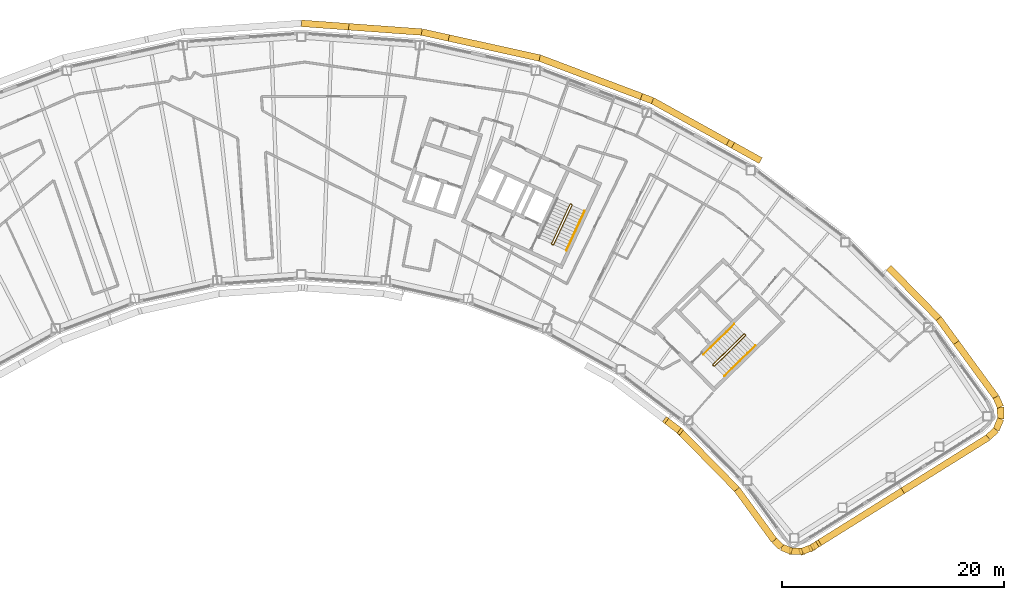
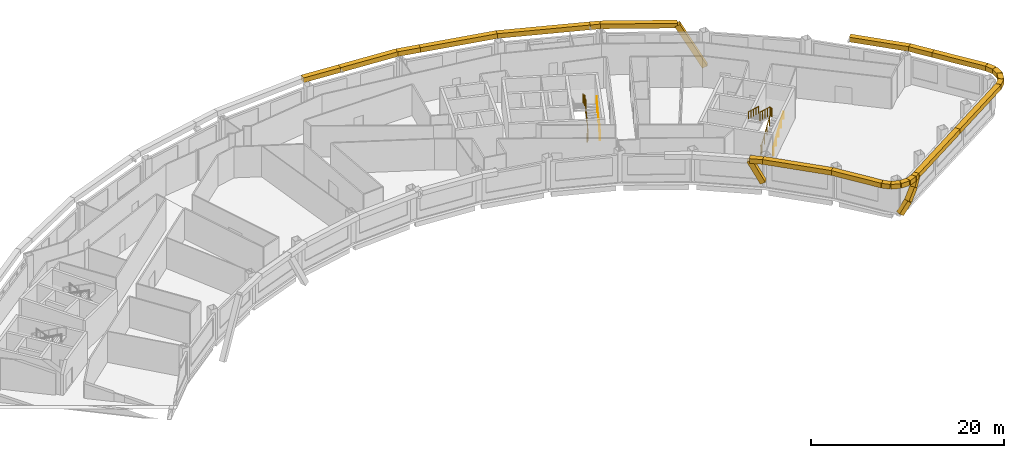
# One storey, part 15 of 16: 29 coverings, 5 railings.
"""IFC4 building model written with IfcOpenShell, lengths in metres."""

from ifc_helpers import new_model, si_unit, direction, frame, origin, origin_2d, place, context, subcontext, project, spatial, rectangle, circle, extrude, material, material_profile, profile_set, type_object, element, save


model = new_model("IFC4")

# Units and contexts
model_context = context("Model", 3, precision=1e-05, world=origin(), true_north=direction((0.0, 1.0)))
body_context = subcontext(model_context, "Body", "Model", "MODEL_VIEW")
ifc_project = project(units=[si_unit("LENGTHUNIT", "METRE"), si_unit("AREAUNIT", "SQUARE_METRE"), si_unit("VOLUMEUNIT", "CUBIC_METRE"), si_unit("PLANEANGLEUNIT", "RADIAN"), si_unit("MASSUNIT", "GRAM", prefix="KILO")], contexts=[model_context])

# Site, building, storey
site_placement = place(None, origin())
site = spatial("IfcSite", under=ifc_project, at=site_placement, CompositionType="ELEMENT")
building_placement = place(site_placement, origin())
building = spatial("IfcBuilding", under=site, at=building_placement, Name="Tuul Gate Civic Tower", CompositionType="ELEMENT")
storey_placement = place(building_placement, frame((0.0, 0.0, 261.0)))
storey = spatial("IfcBuildingStorey", under=building, at=storey_placement, Name="Level 59", CompositionType="ELEMENT", Elevation=261.0)

# Railings
ifc_material_1 = material(Name="Painted steel", Category="steel")
railing_type_1 = type_object("IfcRailingType", Name="Stair guard", PredefinedType="GUARDRAIL", material=ifc_material_1)
railing_1_placement = place(storey_placement, frame((48.10546875, -16.134765625, 0.0)))
element("IfcRailing", 1, at=railing_1_placement, inside=storey, type_object=railing_type_1, Name="Level 59 ST-3 stair guard 1", PredefinedType="GUARDRAIL", context=body_context, shape_type="SweptSolid", body=[
    extrude(circle(Radius=0.02392578125, at=origin_2d()), frame((0.0, 0.0, 1.076171875), z_axis=(-0.698506948293, 0.715603272202, 0.0), x_axis=(-0.715603272202, -0.698506948293, 0.0)), (0.0, 0.0, 1.0), 0.099853515625),
    extrude(circle(Radius=0.02392578125, at=origin_2d()), frame((-0.06982421875, 0.071533203125, 1.076171875), z_axis=(0.645446321009, -0.331687692741, 0.688027849131), x_axis=(0.457068866502, 0.889431307788, 0.0)), (0.0, 0.0, 1.0), 0.2177734375),
    extrude(circle(Radius=0.02392578125, at=origin_2d()), frame((0.07080078125, -0.000732421875, 1.22607421875), z_axis=(0.638715268259, 0.626117886127, 0.447235059857), x_axis=(-0.700029477518, 0.714113947914, 0.0)), (0.0, 0.0, 1.0), 4.360595703125),
    extrude(circle(Radius=0.02392578125, at=origin_2d()), frame((2.85595703125, 2.7294921875, 3.17626953125), z_axis=(0.010380063588, 0.999946125689, 0.0), x_axis=(-0.999946125689, 0.010380063588, 0.0)), (0.0, 0.0, 1.0), 0.070556640625),
    extrude(circle(Radius=0.02392578125, at=origin_2d()), frame((2.856689453125, 2.800048828125, 3.17626953125), z_axis=(-0.699754442181, 0.714383454909, 0.0), x_axis=(-0.714383454909, -0.699754442181, 0.0)), (0.0, 0.0, 1.0), 0.10009765625),
    extrude(circle(Radius=0.02392578125, at=origin_2d()), frame((2.78662109375, 2.87158203125, 3.17626953125), z_axis=(-0.427069033481, 0.004417955519, 0.904208229508), x_axis=(-0.010344274102, -0.999946496565, 0.0)), (0.0, 0.0, 1.0), 0.165771484375),
    extrude(circle(Radius=0.02392578125, at=origin_2d()), frame((2.7158203125, 2.872314453125, 3.326171875), z_axis=(-0.638731261263, -0.626133563701, 0.447190268558), x_axis=(0.700029477518, -0.714113947914, 0.0)), (0.0, 0.0, 1.0), 4.3603515625),
    extrude(circle(Radius=0.02099609375, at=origin_2d()), origin(), (0.0, 0.0, 1.0), 1.052001953125),
    extrude(circle(Radius=0.02099609375, at=origin_2d()), frame((-0.06982421875, 0.071533203125, 0.0)), (0.0, 0.0, 1.0), 1.052001953125),
    extrude(circle(Radius=0.02099609375, at=origin_2d()), frame((0.07080078125, -0.000732421875, 0.14990234375)), (0.0, 0.0, 1.0), 1.052001953125),
    extrude(circle(Radius=0.02099609375, at=origin_2d()), frame((0.76708984375, 0.681884765625, 0.637451171875)), (0.0, 0.0, 1.0), 1.052001953125),
    extrude(circle(Radius=0.02099609375, at=origin_2d()), frame((1.46337890625, 1.3642578125, 1.125)), (0.0, 0.0, 1.0), 1.052001953125),
    extrude(circle(Radius=0.02099609375, at=origin_2d()), frame((2.15966796875, 2.046875, 1.612548828125)), (0.0, 0.0, 1.0), 1.052001953125),
    extrude(circle(Radius=0.02099609375, at=origin_2d()), frame((2.85595703125, 2.7294921875, 2.10009765625)), (0.0, 0.0, 1.0), 1.052001953125),
    extrude(circle(Radius=0.02099609375, at=origin_2d()), frame((2.856689453125, 2.800048828125, 2.10009765625)), (0.0, 0.0, 1.0), 1.052001953125),
    extrude(circle(Radius=0.02099609375, at=origin_2d()), frame((2.78662109375, 2.87158203125, 2.10009765625)), (0.0, 0.0, 1.0), 1.052001953125),
    extrude(circle(Radius=0.02099609375, at=origin_2d()), frame((2.7158203125, 2.872314453125, 2.25)), (0.0, 0.0, 1.0), 1.052001953125),
    extrude(circle(Radius=0.02099609375, at=origin_2d()), frame((2.01953125, 2.189697265625, 2.737548828125)), (0.0, 0.0, 1.0), 1.052001953125),
    extrude(circle(Radius=0.02099609375, at=origin_2d()), frame((1.3232421875, 1.50732421875, 3.22509765625)), (0.0, 0.0, 1.0), 1.052001953125),
    extrude(circle(Radius=0.02099609375, at=origin_2d()), frame((0.626953125, 0.82470703125, 3.71240234375)), (0.0, 0.0, 1.0), 1.052001953125),
    extrude(circle(Radius=0.02099609375, at=origin_2d()), frame((-0.0693359375, 0.14208984375, 4.199951171875)), (0.0, 0.0, 1.0), 1.052001953125),
])
railing_2_placement = place(storey_placement, frame((33.645751953125, -5.238525390625, 0.0)))
element("IfcRailing", 2, at=railing_2_placement, inside=storey, type_object=railing_type_1, Name="Level 59 ST-4 stair guard 1", PredefinedType="GUARDRAIL", context=body_context, shape_type="SweptSolid", body=[
    extrude(circle(Radius=0.02392578125, at=origin_2d()), frame((0.0, 0.0, 1.076171875), z_axis=(-0.906307919131, 0.422617978463, 0.0), x_axis=(-0.422617978463, -0.906307919131, 0.0)), (0.0, 0.0, 1.0), 0.099853515625),
    extrude(circle(Radius=0.02392578125, at=origin_2d()), frame((-0.090576171875, 0.042236328125, 1.076171875), z_axis=(0.720735628292, -0.082946246491, 0.688229666829), x_axis=(0.114330889033, 0.993442724979, 0.0)), (0.0, 0.0, 1.0), 0.2177734375),
    extrude(circle(Radius=0.02392578125, at=origin_2d()), frame((0.06640625, 0.024169921875, 1.22607421875), z_axis=(0.377937439636, 0.810633814971, 0.447253965602), x_axis=(-0.906336612539, 0.422556439746, 0.0)), (0.0, 0.0, 1.0), 4.3603515625),
    extrude(circle(Radius=0.02392578125, at=origin_2d()), frame((1.71435546875, 3.558837890625, 3.17626953125), z_axis=(-0.342020437038, 0.939692513883, 0.0), x_axis=(-0.939692513883, -0.342020437038, 0.0)), (0.0, 0.0, 1.0), 0.070556640625),
    extrude(circle(Radius=0.02392578125, at=origin_2d()), frame((1.690185546875, 3.625244140625, 3.17626953125), z_axis=(-0.906307919131, 0.422617978463, 0.0), x_axis=(-0.422617978463, -0.906307919131, 0.0)), (0.0, 0.0, 1.0), 0.099853515625),
    extrude(circle(Radius=0.02392578125, at=origin_2d()), frame((1.599609375, 3.66748046875, 3.17626953125), z_axis=(-0.40070210376, -0.145843780413, 0.904526072458), x_axis=(0.342020437038, -0.939692513883, 0.0)), (0.0, 0.0, 1.0), 0.165771484375),
    extrude(circle(Radius=0.02392578125, at=origin_2d()), frame((1.533203125, 3.643310546875, 3.326171875), z_axis=(-0.377946903738, -0.810654114417, 0.447209173356), x_axis=(0.906336612539, -0.422556439746, 0.0)), (0.0, 0.0, 1.0), 4.3603515625),
    extrude(circle(Radius=0.02099609375, at=origin_2d()), origin(), (0.0, 0.0, 1.0), 1.052001953125),
    extrude(circle(Radius=0.02099609375, at=origin_2d()), frame((-0.090576171875, 0.042236328125, 0.0)), (0.0, 0.0, 1.0), 1.052001953125),
    extrude(circle(Radius=0.02099609375, at=origin_2d()), frame((0.06640625, 0.024169921875, 0.14990234375)), (0.0, 0.0, 1.0), 1.052001953125),
    extrude(circle(Radius=0.02099609375, at=origin_2d()), frame((0.478515625, 0.90771484375, 0.637451171875)), (0.0, 0.0, 1.0), 1.052001953125),
    extrude(circle(Radius=0.02099609375, at=origin_2d()), frame((0.890380859375, 1.79150390625, 1.125)), (0.0, 0.0, 1.0), 1.052001953125),
    extrude(circle(Radius=0.02099609375, at=origin_2d()), frame((1.30224609375, 2.67529296875, 1.612548828125)), (0.0, 0.0, 1.0), 1.052001953125),
    extrude(circle(Radius=0.02099609375, at=origin_2d()), frame((1.71435546875, 3.558837890625, 2.10009765625)), (0.0, 0.0, 1.0), 1.052001953125),
    extrude(circle(Radius=0.02099609375, at=origin_2d()), frame((1.690185546875, 3.625244140625, 2.10009765625)), (0.0, 0.0, 1.0), 1.052001953125),
    extrude(circle(Radius=0.02099609375, at=origin_2d()), frame((1.599609375, 3.66748046875, 2.10009765625)), (0.0, 0.0, 1.0), 1.052001953125),
    extrude(circle(Radius=0.02099609375, at=origin_2d()), frame((1.533203125, 3.643310546875, 2.25)), (0.0, 0.0, 1.0), 1.052001953125),
    extrude(circle(Radius=0.02099609375, at=origin_2d()), frame((1.12109375, 2.759765625, 2.737548828125)), (0.0, 0.0, 1.0), 1.052001953125),
    extrude(circle(Radius=0.02099609375, at=origin_2d()), frame((0.709228515625, 1.8759765625, 3.22509765625)), (0.0, 0.0, 1.0), 1.052001953125),
    extrude(circle(Radius=0.02099609375, at=origin_2d()), frame((0.29736328125, 0.9921875, 3.71240234375)), (0.0, 0.0, 1.0), 1.052001953125),
    extrude(circle(Radius=0.02099609375, at=origin_2d()), frame((-0.11474609375, 0.108642578125, 4.199951171875)), (0.0, 0.0, 1.0), 1.052001953125),
])
ifc_material_2 = material(Name="Painted steel", Category="steel")
railing_type_2 = type_object("IfcRailingType", Name="Stair handrail", PredefinedType="HANDRAIL", material=ifc_material_2)
railing_3_placement = place(storey_placement, frame((49.05126953125, -17.028076171875, 0.14990234375)))
element("IfcRailing", 3, at=railing_3_placement, inside=storey, type_object=railing_type_2, Name="Level 59 ST-3 stair handrail 1", PredefinedType="HANDRAIL", context=body_context, shape_type="SweptSolid", body=[
    extrude(circle(Radius=0.02392578125, at=origin_2d()), frame((0.0, 0.0, 0.8759765625), z_axis=(0.638737658801, 0.626083844733, 0.447250737947), x_axis=(-0.699997553204, 0.714145241186, 0.0)), (0.0, 0.0, 1.0), 4.3603515625),
    extrude(circle(Radius=0.02099609375, at=origin_2d()), origin(), (0.0, 0.0, 1.0), 0.851806640625),
    extrude(circle(Radius=0.02099609375, at=origin_2d()), frame((0.6962890625, 0.6826171875, 0.487548828125)), (0.0, 0.0, 1.0), 0.851806640625),
    extrude(circle(Radius=0.02099609375, at=origin_2d()), frame((1.392578125, 1.364990234375, 0.97509765625)), (0.0, 0.0, 1.0), 0.851806640625),
    extrude(circle(Radius=0.02099609375, at=origin_2d()), frame((2.0888671875, 2.04736328125, 1.462646484375)), (0.0, 0.0, 1.0), 0.851806640625),
    extrude(circle(Radius=0.02099609375, at=origin_2d()), frame((2.78515625, 2.72998046875, 1.9501953125)), (0.0, 0.0, 1.0), 0.851806640625),
])
railing_4_placement = place(storey_placement, frame((49.9462890625, -12.369873046875, 2.25)))
element("IfcRailing", 4, at=railing_4_placement, inside=storey, type_object=railing_type_2, Name="Level 59 ST-3 stair handrail 2", PredefinedType="HANDRAIL", context=body_context, shape_type="SweptSolid", body=[
    extrude(circle(Radius=0.02392578125, at=origin_2d()), frame((0.0, 0.0, 0.8759765625), z_axis=(-0.638753653487, -0.626099522554, 0.447205945863), x_axis=(0.699997553204, -0.714145241186, 0.0)), (0.0, 0.0, 1.0), 4.3603515625),
    extrude(circle(Radius=0.02099609375, at=origin_2d()), origin(), (0.0, 0.0, 1.0), 0.851806640625),
    extrude(circle(Radius=0.02099609375, at=origin_2d()), frame((-0.6962890625, -0.6826171875, 0.487548828125)), (0.0, 0.0, 1.0), 0.851806640625),
    extrude(circle(Radius=0.02099609375, at=origin_2d()), frame((-1.392578125, -1.364990234375, 0.97509765625)), (0.0, 0.0, 1.0), 0.851806640625),
    extrude(circle(Radius=0.02099609375, at=origin_2d()), frame((-2.0888671875, -2.04736328125, 1.46240234375)), (0.0, 0.0, 1.0), 0.851806640625),
    extrude(circle(Radius=0.02099609375, at=origin_2d()), frame((-2.78515625, -2.72998046875, 1.949951171875)), (0.0, 0.0, 1.0), 0.851806640625),
])
railing_5_placement = place(storey_placement, frame((34.844970703125, -5.74267578125, 0.14990234375)))
element("IfcRailing", 5, at=railing_5_placement, inside=storey, type_object=railing_type_2, Name="Level 59 ST-4 stair handrail 1", PredefinedType="HANDRAIL", context=body_context, shape_type="SweptSolid", body=[
    extrude(circle(Radius=0.02392578125, at=origin_2d()), frame((0.0, 0.0, 0.8759765625), z_axis=(0.377985431313, 0.810616660428, 0.447244500863), x_axis=(-0.906312636903, 0.422607861012, 0.0)), (0.0, 0.0, 1.0), 4.3603515625),
    extrude(circle(Radius=0.02099609375, at=origin_2d()), origin(), (0.0, 0.0, 1.0), 0.851806640625),
    extrude(circle(Radius=0.02099609375, at=origin_2d()), frame((0.412109375, 0.8837890625, 0.487548828125)), (0.0, 0.0, 1.0), 0.851806640625),
    extrude(circle(Radius=0.02099609375, at=origin_2d()), frame((0.82421875, 1.767333984375, 0.97509765625)), (0.0, 0.0, 1.0), 0.851806640625),
    extrude(circle(Radius=0.02099609375, at=origin_2d()), frame((1.236083984375, 2.65087890625, 1.462646484375)), (0.0, 0.0, 1.0), 0.851806640625),
    extrude(circle(Radius=0.02099609375, at=origin_2d()), frame((1.648193359375, 3.53466796875, 1.9501953125)), (0.0, 0.0, 1.0), 0.851806640625),
])

# Coverings
ifc_material_3 = material(Name="Terracotta baguette", Category="masonry")
ifc_material_profile = material_profile(ifc_material_3, rectangle(XDim=0.60009765625, YDim=0.60009765625, at=origin_2d()), Name="Terracotta baguette screen frame")
ifc_profile_set = profile_set([ifc_material_profile], Name="Terracotta baguette")
covering_type = type_object("IfcCoveringType", Name="Terracotta baguette screen frame", PredefinedType="CLADDING", material=ifc_profile_set)
covering_1_placement = place(storey_placement, frame((69.901611328125, -14.0283203125, 3.85009765625), z_axis=(-0.589838453856, 0.80752126805, 0.0), x_axis=(-0.80752126805, -0.589838453856, 0.0)))
element("IfcCovering", 6, at=covering_1_placement, inside=storey, type_object=covering_type, Name="Baguette 23", PredefinedType="CLADDING", context=body_context, shape_type="SweptSolid", body=[
    extrude(rectangle(XDim=0.60009765625, YDim=0.60009765625, at=origin_2d()), origin(), (0.0, 0.0, 1.0), 2.680419921875),
])
covering_2_placement = place(storey_placement, frame((68.320556640625, -11.86376953125, 3.85009765625), z_axis=(-0.700001676443, 0.714141199607, 0.0), x_axis=(-0.714141199607, -0.700001676443, 0.0)))
element("IfcCovering", 7, at=covering_2_placement, inside=storey, type_object=covering_type, Name="Baguette 24", PredefinedType="CLADDING", context=body_context, shape_type="SweptSolid", body=[
    extrude(rectangle(XDim=0.60009765625, YDim=0.60009765625, at=origin_2d()), origin(), (0.0, 0.0, 1.0), 6.406005859375),
])
covering_3_placement = place(storey_placement, frame((52.091064453125, 2.45849609375, -1.424560546875), z_axis=(-0.415573708359, 0.230390089003, 0.879897096148), x_axis=(-0.484864067073, -0.874589524555, 0.0)))
element("IfcCovering", 8, at=covering_3_placement, inside=storey, type_object=covering_type, Name="Baguette 40", PredefinedType="CLADDING", context=body_context, shape_type="SweptSolid", body=[
    extrude(rectangle(XDim=0.60009765625, YDim=0.60009765625, at=origin_2d()), origin(), (0.0, 0.0, 1.0), 5.99462890625),
])
covering_4_placement = place(storey_placement, frame((49.599853515625, 3.839599609375, 3.85009765625), z_axis=(-0.874640335778, 0.484772403329, 0.0), x_axis=(-0.484772403329, -0.874640335778, 0.0)))
element("IfcCovering", 9, at=covering_4_placement, inside=storey, type_object=covering_type, Name="Baguette 47", PredefinedType="CLADDING", context=body_context, shape_type="SweptSolid", body=[
    extrude(rectangle(XDim=0.60009765625, YDim=0.60009765625, at=origin_2d()), origin(), (0.0, 0.0, 1.0), 8.0029296875),
])
covering_5_placement = place(storey_placement, frame((42.60009765625, 7.71923828125, 3.85009765625), z_axis=(-0.93530259412, 0.353848918937, 0.0), x_axis=(-0.353848918937, -0.93530259412, 0.0)))
element("IfcCovering", 10, at=covering_5_placement, inside=storey, type_object=covering_type, Name="Baguette 48", PredefinedType="CLADDING", context=body_context, shape_type="SweptSolid", body=[
    extrude(rectangle(XDim=0.60009765625, YDim=0.60009765625, at=origin_2d()), origin(), (0.0, 0.0, 1.0), 1.0693359375),
])
covering_6_placement = place(storey_placement, frame((24.283203125, 13.357666015625, 3.85009765625), z_axis=(-0.976571103923, 0.215194978989, 0.0), x_axis=(-0.215194978989, -0.976571103923, 0.0)))
element("IfcCovering", 11, at=covering_6_placement, inside=storey, type_object=covering_type, Name="Baguette 65", PredefinedType="CLADDING", context=body_context, shape_type="SweptSolid", body=[
    extrude(rectangle(XDim=0.60009765625, YDim=0.60009765625, at=origin_2d()), origin(), (0.0, 0.0, 1.0), 2.488037109375),
])
covering_7_placement = place(storey_placement, frame((21.853515625, 13.89306640625, 3.85009765625), z_axis=(-0.997385338271, 0.07226677662, 0.0), x_axis=(-0.07226677662, -0.997385338271, 0.0)))
element("IfcCovering", 12, at=covering_7_placement, inside=storey, type_object=covering_type, Name="Baguette 66", PredefinedType="CLADDING", context=body_context, shape_type="SweptSolid", body=[
    extrude(rectangle(XDim=0.60009765625, YDim=0.60009765625, at=origin_2d()), origin(), (0.0, 0.0, 1.0), 6.58447265625),
])
covering_8_placement = place(storey_placement, frame((43.873046875, -21.07177734375, 3.85009765625), z_axis=(0.370866630661, -0.282362542903, -0.884719919877), x_axis=(0.60576829495, 0.795641108059, 0.0)))
element("IfcCovering", 13, at=covering_8_placement, inside=storey, type_object=covering_type, Name="Baguette 246", PredefinedType="CLADDING", context=body_context, shape_type="SweptSolid", body=[
    extrude(rectangle(XDim=0.60009765625, YDim=0.60009765625, at=origin_2d()), origin(), (0.0, 0.0, 1.0), 3.042724609375),
])
covering_9_placement = place(storey_placement, frame((55.102294921875, -32.783447265625, 0.177001953125), z_axis=(0.602486696833, -0.002570206737, 0.798124786093), x_axis=(0.004265958673, 0.999990900757, 0.0)))
element("IfcCovering", 14, at=covering_9_placement, inside=storey, type_object=covering_type, Name="Baguette 267", PredefinedType="CLADDING", context=body_context, shape_type="SweptSolid", body=[
    extrude(rectangle(XDim=0.60009765625, YDim=0.60009765625, at=origin_2d()), origin(), (0.0, 0.0, 1.0), 1.61474609375),
])
covering_10_placement = place(storey_placement, frame((56.0751953125, -32.78759765625, 1.4658203125), z_axis=(0.534394068467, 0.208138961898, 0.819207636761), x_axis=(-0.362929447932, 0.93181662135, 0.0)))
element("IfcCovering", 15, at=covering_10_placement, inside=storey, type_object=covering_type, Name="Baguette 268", PredefinedType="CLADDING", context=body_context, shape_type="SweptSolid", body=[
    extrude(rectangle(XDim=0.60009765625, YDim=0.60009765625, at=origin_2d()), origin(), (0.0, 0.0, 1.0), 1.572998046875),
])
covering_11_placement = place(storey_placement, frame((56.915771484375, -32.460205078125, 2.75439453125), z_axis=(0.402313843721, 0.251274516726, 0.880343505908), x_axis=(-0.529738713069, 0.848160890324, 0.0)))
element("IfcCovering", 16, at=covering_11_placement, inside=storey, type_object=covering_type, Name="Baguette 269", PredefinedType="CLADDING", context=body_context, shape_type="SweptSolid", body=[
    extrude(rectangle(XDim=0.60009765625, YDim=0.60009765625, at=origin_2d()), origin(), (0.0, 0.0, 1.0), 1.24462890625),
])
covering_12_placement = place(storey_placement, frame((57.41650390625, -32.1474609375, 3.85009765625), z_axis=(0.848024059423, 0.529957729106, 0.0), x_axis=(-0.529957729106, 0.848024059423, 0.0)))
element("IfcCovering", 17, at=covering_12_placement, inside=storey, type_object=covering_type, Name="Baguette 283", PredefinedType="CLADDING", context=body_context, shape_type="SweptSolid", body=[
    extrude(rectangle(XDim=0.60009765625, YDim=0.60009765625, at=origin_2d()), origin(), (0.0, 0.0, 1.0), 9.052734375),
])
covering_13_placement = place(storey_placement, frame((65.093505859375, -27.349853515625, 3.85009765625), z_axis=(0.848031633403, 0.529945609235, 0.0), x_axis=(-0.529945609235, 0.848031633403, 0.0)))
element("IfcCovering", 18, at=covering_13_placement, inside=storey, type_object=covering_type, Name="Baguette 285", PredefinedType="CLADDING", context=body_context, shape_type="SweptSolid", body=[
    extrude(rectangle(XDim=0.60009765625, YDim=0.60009765625, at=origin_2d()), origin(), (0.0, 0.0, 1.0), 9.052978515625),
])
covering_14_placement = place(storey_placement, frame((72.770751953125, -22.55224609375, 3.85009765625), z_axis=(0.722749211147, 0.69111039479, 0.0), x_axis=(-0.69111039479, 0.722749211147, 0.0)))
element("IfcCovering", 19, at=covering_14_placement, inside=storey, type_object=covering_type, Name="Baguette 286", PredefinedType="CLADDING", context=body_context, shape_type="SweptSolid", body=[
    extrude(rectangle(XDim=0.60009765625, YDim=0.60009765625, at=origin_2d()), origin(), (0.0, 0.0, 1.0), 0.98779296875),
])
covering_15_placement = place(storey_placement, frame((73.484619140625, -21.86962890625, 3.85009765625), z_axis=(0.385378072861, 0.922758766394, 0.0), x_axis=(-0.922758766394, 0.385378072861, 0.0)))
element("IfcCovering", 20, at=covering_15_placement, inside=storey, type_object=covering_type, Name="Baguette 287", PredefinedType="CLADDING", context=body_context, shape_type="SweptSolid", body=[
    extrude(rectangle(XDim=0.60009765625, YDim=0.60009765625, at=origin_2d()), origin(), (0.0, 0.0, 1.0), 1.068115234375),
])
covering_16_placement = place(storey_placement, frame((73.896240234375, -20.884033203125, 3.85009765625), z_axis=(-0.014650442147, 0.999892676513, 0.0), x_axis=(-0.999892676513, -0.014650442147, 0.0)))
element("IfcCovering", 21, at=covering_16_placement, inside=storey, type_object=covering_type, Name="Baguette 288", PredefinedType="CLADDING", context=body_context, shape_type="SweptSolid", body=[
    extrude(rectangle(XDim=0.60009765625, YDim=0.60009765625, at=origin_2d()), origin(), (0.0, 0.0, 1.0), 1.06640625),
])
covering_17_placement = place(storey_placement, frame((73.880615234375, -19.817626953125, 3.85009765625), z_axis=(-0.4130215853, 0.910721236206, 0.0), x_axis=(-0.910721236206, -0.4130215853, 0.0)))
element("IfcCovering", 22, at=covering_17_placement, inside=storey, type_object=covering_type, Name="Baguette 289", PredefinedType="CLADDING", context=body_context, shape_type="SweptSolid", body=[
    extrude(rectangle(XDim=0.60009765625, YDim=0.60009765625, at=origin_2d()), origin(), (0.0, 0.0, 1.0), 0.989013671875),
])
covering_18_placement = place(storey_placement, frame((73.47216796875, -18.9169921875, 3.85009765625), z_axis=(-0.589808275689, 0.807543310249, 0.0), x_axis=(-0.807543310249, -0.589808275689, 0.0)))
element("IfcCovering", 23, at=covering_18_placement, inside=storey, type_object=covering_type, Name="Baguette 290", PredefinedType="CLADDING", context=body_context, shape_type="SweptSolid", body=[
    extrude(rectangle(XDim=0.60009765625, YDim=0.60009765625, at=origin_2d()), origin(), (0.0, 0.0, 1.0), 6.0537109375),
])
covering_19_placement = place(storey_placement, frame((41.599853515625, 8.09765625, 3.85009765625), z_axis=(-0.935353222588, 0.353715067524, 0.0), x_axis=(-0.353715067524, -0.935353222588, 0.0)))
element("IfcCovering", 24, at=covering_19_placement, inside=storey, type_object=covering_type, Name="Baguette 300", PredefinedType="CLADDING", context=body_context, shape_type="SweptSolid", body=[
    extrude(rectangle(XDim=0.60009765625, YDim=0.60009765625, at=origin_2d()), origin(), (0.0, 0.0, 1.0), 9.78173828125),
])
covering_20_placement = place(storey_placement, frame((32.450439453125, 11.5576171875, 3.85009765625), z_axis=(-0.976562678292, 0.215233211582, 0.0), x_axis=(-0.215233211582, -0.976562678292, 0.0)))
element("IfcCovering", 25, at=covering_20_placement, inside=storey, type_object=covering_type, Name="Baguette 301", PredefinedType="CLADDING", context=body_context, shape_type="SweptSolid", body=[
    extrude(rectangle(XDim=0.60009765625, YDim=0.60009765625, at=origin_2d()), origin(), (0.0, 0.0, 1.0), 8.36328125),
])
covering_21_placement = place(storey_placement, frame((15.286376953125, 14.368896484375, 3.85009765625), z_axis=(-0.99738909846, 0.072214861862, 0.0), x_axis=(-0.072214861862, -0.99738909846, 0.0)))
element("IfcCovering", 26, at=covering_21_placement, inside=storey, type_object=covering_type, Name="Baguette 308", PredefinedType="CLADDING", context=body_context, shape_type="SweptSolid", body=[
    extrude(rectangle(XDim=0.60009765625, YDim=0.60009765625, at=origin_2d()), origin(), (0.0, 0.0, 1.0), 4.2666015625),
])
covering_22_placement = place(storey_placement, frame((43.873046875, -21.07177734375, 3.85009765625), z_axis=(0.795641108059, -0.60576829495, 0.0), x_axis=(0.60576829495, 0.795641108059, 0.0)))
element("IfcCovering", 27, at=covering_22_placement, inside=storey, type_object=covering_type, Name="Baguette 365", PredefinedType="CLADDING", context=body_context, shape_type="SweptSolid", body=[
    extrude(rectangle(XDim=0.60009765625, YDim=0.60009765625, at=origin_2d()), origin(), (0.0, 0.0, 1.0), 1.418212890625),
])
covering_23_placement = place(storey_placement, frame((45.00146484375, -21.930908203125, 3.85009765625), z_axis=(0.700028633045, -0.714114775731, 0.0), x_axis=(0.714114775731, 0.700028633045, 0.0)))
element("IfcCovering", 28, at=covering_23_placement, inside=storey, type_object=covering_type, Name="Baguette 366", PredefinedType="CLADDING", context=body_context, shape_type="SweptSolid", body=[
    extrude(rectangle(XDim=0.60009765625, YDim=0.60009765625, at=origin_2d()), origin(), (0.0, 0.0, 1.0), 7.41796875),
])
covering_24_placement = place(storey_placement, frame((50.1943359375, -27.228271484375, 3.85009765625), z_axis=(0.589729447422, -0.807600878432, 0.0), x_axis=(0.807600878432, 0.589729447422, 0.0)))
element("IfcCovering", 29, at=covering_24_placement, inside=storey, type_object=covering_type, Name="Baguette 367", PredefinedType="CLADDING", context=body_context, shape_type="SweptSolid", body=[
    extrude(rectangle(XDim=0.60009765625, YDim=0.60009765625, at=origin_2d()), origin(), (0.0, 0.0, 1.0), 5.671142578125),
])
covering_25_placement = place(storey_placement, frame((53.538818359375, -31.808349609375, 3.85009765625), z_axis=(0.730001285686, -0.683445771731, 0.0), x_axis=(0.683445771731, 0.730001285686, 0.0)))
element("IfcCovering", 30, at=covering_25_placement, inside=storey, type_object=covering_type, Name="Baguette 368", PredefinedType="CLADDING", context=body_context, shape_type="SweptSolid", body=[
    extrude(rectangle(XDim=0.60009765625, YDim=0.60009765625, at=origin_2d()), origin(), (0.0, 0.0, 1.0), 0.902099609375),
])
covering_26_placement = place(storey_placement, frame((54.197265625, -32.4248046875, 3.85009765625), z_axis=(0.929665294904, -0.368405265232, 0.0), x_axis=(0.368405265232, 0.929665294904, 0.0)))
element("IfcCovering", 31, at=covering_26_placement, inside=storey, type_object=covering_type, Name="Baguette 369", PredefinedType="CLADDING", context=body_context, shape_type="SweptSolid", body=[
    extrude(rectangle(XDim=0.60009765625, YDim=0.60009765625, at=origin_2d()), origin(), (0.0, 0.0, 1.0), 0.973388671875),
])
covering_27_placement = place(storey_placement, frame((55.102294921875, -32.783447265625, 3.85009765625), z_axis=(0.999990900757, -0.004265958673, 0.0), x_axis=(0.004265958673, 0.999990900757, 0.0)))
element("IfcCovering", 32, at=covering_27_placement, inside=storey, type_object=covering_type, Name="Baguette 370", PredefinedType="CLADDING", context=body_context, shape_type="SweptSolid", body=[
    extrude(rectangle(XDim=0.60009765625, YDim=0.60009765625, at=origin_2d()), origin(), (0.0, 0.0, 1.0), 0.972900390625),
])
covering_28_placement = place(storey_placement, frame((56.0751953125, -32.78759765625, 3.85009765625), z_axis=(0.93181662135, 0.362929447932, 0.0), x_axis=(-0.362929447932, 0.93181662135, 0.0)))
element("IfcCovering", 33, at=covering_28_placement, inside=storey, type_object=covering_type, Name="Baguette 371", PredefinedType="CLADDING", context=body_context, shape_type="SweptSolid", body=[
    extrude(rectangle(XDim=0.60009765625, YDim=0.60009765625, at=origin_2d()), origin(), (0.0, 0.0, 1.0), 0.902099609375),
])
covering_29_placement = place(storey_placement, frame((56.915771484375, -32.460205078125, 3.85009765625), z_axis=(0.848160890324, 0.529738713069, 0.0), x_axis=(-0.529738713069, 0.848160890324, 0.0)))
element("IfcCovering", 34, at=covering_29_placement, inside=storey, type_object=covering_type, Name="Baguette 372", PredefinedType="CLADDING", context=body_context, shape_type="SweptSolid", body=[
    extrude(rectangle(XDim=0.60009765625, YDim=0.60009765625, at=origin_2d()), origin(), (0.0, 0.0, 1.0), 0.59033203125),
])

save(model, "model.ifc")
